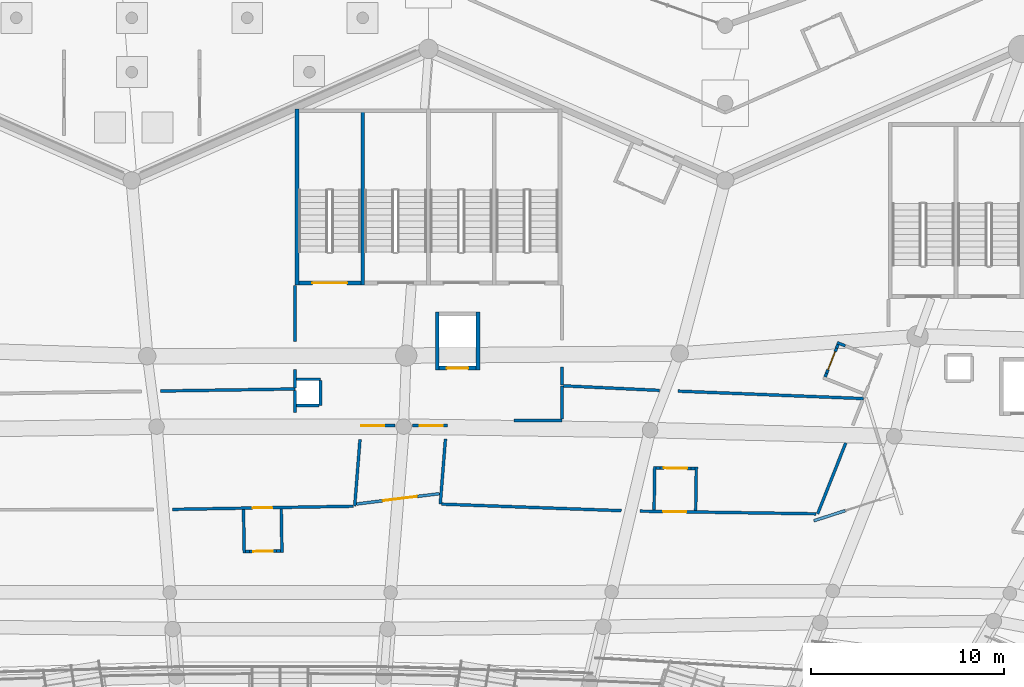
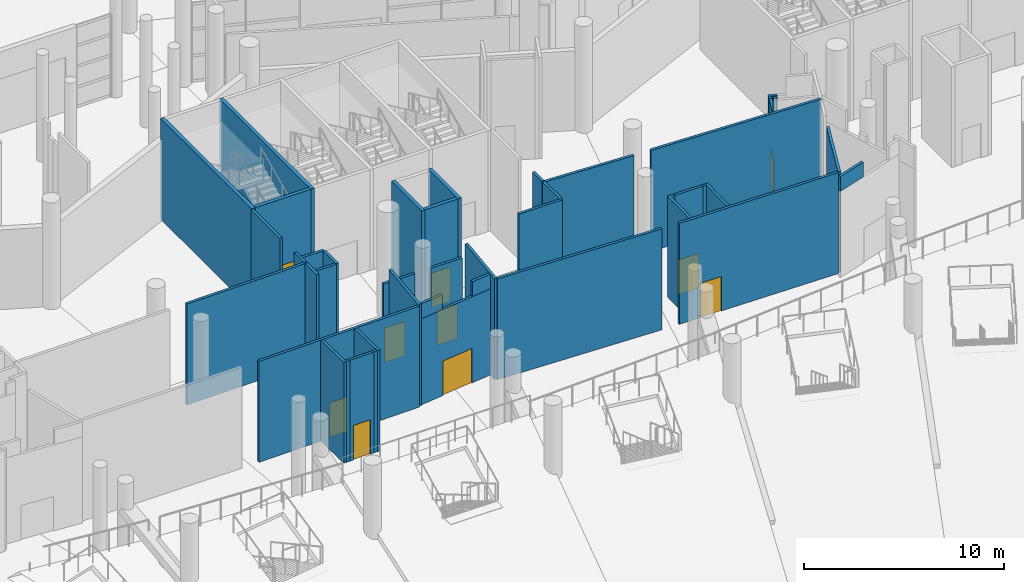
# One storey, part 150 of 255: 44 walls, 10 doors, 10 openings.
"""IFC4 building model written with IfcOpenShell, lengths in metres."""

from ifc_helpers import new_model, si_unit, direction, frame, frame_2d, origin, place, context, subcontext, project, spatial, rectangle, extrude, material, layer, layer_set, type_object, element, fill, save


model = new_model("IFC4")

# Units and contexts
model_context = context("Model", 3, precision=1e-05, world=origin(), true_north=direction((0.0, 1.0)))
body_context = subcontext(model_context, "Body", "Model", "MODEL_VIEW")
ifc_project = project(units=[si_unit("LENGTHUNIT", "METRE"), si_unit("AREAUNIT", "SQUARE_METRE"), si_unit("VOLUMEUNIT", "CUBIC_METRE"), si_unit("PLANEANGLEUNIT", "RADIAN"), si_unit("MASSUNIT", "GRAM", prefix="KILO")], contexts=[model_context])

# Site, building, storey
site_placement = place(None, origin())
site = spatial("IfcSite", under=ifc_project, at=site_placement, CompositionType="ELEMENT")
building_placement = place(site_placement, origin())
building = spatial("IfcBuilding", under=site, at=building_placement, Name="Meseta Stadium", CompositionType="ELEMENT")
storey_placement = place(building_placement, origin())
storey = spatial("IfcBuildingStorey", under=building, at=storey_placement, Name="L00", CompositionType="ELEMENT", Elevation=0.0)

# Walls
ifc_material_1 = material(Name="Concrete C40/50", Category="concrete")
ifc_layer_1 = layer(ifc_material_1, 0.199951171875)
ifc_layer_set_1 = layer_set([ifc_layer_1], Name="Core divider wall 200")
wall_type_1 = type_object("IfcWallType", Name="Core divider wall 200", PredefinedType="SHEAR", material=ifc_layer_set_1)
wall_1_placement = place(storey_placement, frame((4.2666015625, 102.300048828125, 0.0), z_axis=(0.0, 0.0, 1.0), x_axis=(0.0, -1.0, 0.0)))
element("IfcWall", 1, at=wall_1_placement, inside=storey, type_object=wall_type_1, Name="Core 10 L00 stair B divider wall", PredefinedType="SHEAR", context=body_context, shape_type="SweptSolid", body=[
    extrude(rectangle(XDim=9.10009765625, YDim=0.199951171875, at=frame_2d((4.550048828125, 0.0))), origin(), (0.0, 0.0, 1.0), 6.14990234375),
])
ifc_material_2 = material(Name="Concrete C40/50", Category="concrete")
ifc_layer_2 = layer(ifc_material_2, 0.199951171875)
ifc_layer_set_2 = layer_set([ifc_layer_2], Name="Core shaft wall 200")
wall_type_2 = type_object("IfcWallType", Name="Core shaft wall 200", PredefinedType="SHEAR", material=ifc_layer_set_2)
wall_2_placement = place(storey_placement, frame((0.86669921875, 102.300048828125, 0.0), z_axis=(0.0, 0.0, 1.0), x_axis=(0.0, -1.0, 0.0)))
element("IfcWall", 2, at=wall_2_placement, inside=storey, type_object=wall_type_2, Name="Core 10 L00 stair wall B-side", PredefinedType="SHEAR", context=body_context, shape_type="SweptSolid", body=[
    extrude(rectangle(XDim=9.10009765625, YDim=0.199951171875, at=frame_2d((4.550048828125, 0.0))), origin(), (0.0, 0.0, 1.0), 6.14990234375),
])

# Wall, opening, door
wall_3_placement = place(storey_placement, frame((4.166748046875, 93.300048828125, 0.0), z_axis=(0.0, 0.0, 1.0), x_axis=(-1.0, 0.0, 0.0)))
wall_3 = element("IfcWall", 3, at=wall_3_placement, inside=storey, type_object=wall_type_2, Name="Core 10 L00 stair B2 inner end wall", PredefinedType="SHEAR", context=body_context, shape_type="SweptSolid", body=[
    extrude(rectangle(XDim=3.199951171875, YDim=0.199951171875, at=frame_2d((1.60009765625, 0.0))), origin(), (0.0, 0.0, 1.0), 6.14990234375),
])
opening_1_placement = place(wall_3_placement, frame((0.699951171875, 0.0, 0.0)))
opening_1 = element("IfcOpeningElement", 4, at=opening_1_placement, cuts=wall_3, Name="Opening D146", PredefinedType="OPENING", context=body_context, shape_type="SweptSolid", body=[
    extrude(rectangle(XDim=1.800048828125, YDim=2.10009765625, at=frame_2d((0.89990234375, 1.050048828125))), frame((0.0, 0.10986328125, 0.0), z_axis=(0.0, -1.0, 0.0), x_axis=(1.0, 0.0, 0.0)), (0.0, 0.0, 1.0), 0.219970703125),
])
ifc_material_3 = material(Name="Steel", Category="steel")
door_type_1 = type_object("IfcDoorType", Name="Stair door 1800x2100", OperationType="DOUBLE_DOOR_SINGLE_SWING", PredefinedType="DOOR", material=ifc_material_3)
door_1_placement = place(opening_1_placement, origin())
door_1 = element("IfcDoor", 5, at=door_1_placement, inside=storey, type_object=door_type_1, Name="Stair B2 door 10 L00", OperationType="DOUBLE_DOOR_SINGLE_SWING", OverallHeight=2.10009765625, OverallWidth=1.800048828125, PredefinedType="DOOR", context=body_context, shape_type="SweptSolid", body=[
    extrude(rectangle(XDim=1.800048828125, YDim=2.10009765625, at=frame_2d((0.89990234375, 1.050048828125))), frame((0.0, 0.02490234375, 0.0), z_axis=(0.0, -1.0, 0.0), x_axis=(1.0, 0.0, 0.0)), (0.0, 0.0, 1.0), 0.050048828125),
])
fill(opening_1, door_1)

# Walls
for number, where, z_axis, x_axis, name in (
    (6, (10.216796875, 91.800048828125, 0.0), (0.0, 0.0, 1.0), (0.0, -1.0, 0.0), "Core 10 L00 lift shaft wall left"),
    (7, (8.11669921875, 91.800048828125, 0.0), (0.0, 0.0, 1.0), (0.0, -1.0, 0.0), "Core 10 L00 lift shaft wall right"),
):
    element("IfcWall", number, at=place(storey_placement, frame(where, z_axis=z_axis, x_axis=x_axis)), inside=storey, type_object=wall_type_2, Name=name, PredefinedType="SHEAR", context=body_context, shape_type="SweptSolid", body=[
        extrude(rectangle(XDim=3.0, YDim=0.199951171875, at=frame_2d((1.5, 0.0))), origin(), (0.0, 0.0, 1.0), 6.14990234375),
    ])

# Wall, opening, door
wall_4_placement = place(storey_placement, frame((10.11669921875, 88.89990234375, 0.0), z_axis=(0.0, 0.0, 1.0), x_axis=(-1.0, 0.0, 0.0)))
wall_4 = element("IfcWall", 8, at=wall_4_placement, inside=storey, type_object=wall_type_2, Name="Core 10 L00 lift shaft front wall", PredefinedType="SHEAR", context=body_context, shape_type="SweptSolid", body=[
    extrude(rectangle(XDim=1.89990234375, YDim=0.199951171875, at=frame_2d((0.949951171875, 0.0))), origin(), (0.0, 0.0, 1.0), 6.14990234375),
])
opening_2_placement = place(wall_4_placement, frame((0.39990234375, 0.0, 0.0)))
opening_2 = element("IfcOpeningElement", 9, at=opening_2_placement, cuts=wall_4, Name="Opening LD52", PredefinedType="OPENING", context=body_context, shape_type="SweptSolid", body=[
    extrude(rectangle(XDim=1.10009765625, YDim=2.10009765625, at=frame_2d((0.550048828125, 1.050048828125))), frame((0.0, 0.10986328125, 0.0), z_axis=(0.0, -1.0, 0.0), x_axis=(1.0, 0.0, 0.0)), (0.0, 0.0, 1.0), 0.219970703125),
])
ifc_material_4 = material(Name="Steel", Category="steel")
door_type_2 = type_object("IfcDoorType", Name="Lift landing door 1100x2100", OperationType="SLIDING_TO_LEFT", PredefinedType="DOOR", material=ifc_material_4)
door_2_placement = place(opening_2_placement, origin())
door_2 = element("IfcDoor", 10, at=door_2_placement, inside=storey, type_object=door_type_2, Name="Lift landing door LD52", OperationType="SLIDING_TO_RIGHT", OverallHeight=2.10009765625, OverallWidth=1.10009765625, PredefinedType="DOOR", context=body_context, shape_type="SweptSolid", body=[
    extrude(rectangle(XDim=1.10009765625, YDim=2.10009765625, at=frame_2d((0.550048828125, 1.050048828125))), frame((0.0, 0.02490234375, 0.0), z_axis=(0.0, -1.0, 0.0), x_axis=(1.0, 0.0, 0.0)), (0.0, 0.0, 1.0), 0.050048828125),
])
fill(opening_2, door_2)

# Walls
ifc_material_5 = material(Name="Masonry blockwork", Category="masonry")
ifc_layer_3 = layer(ifc_material_5, 0.14990234375)
ifc_layer_set_3 = layer_set([ifc_layer_3], Name="Partition 150")
wall_type_3 = type_object("IfcWallType", Name="Partition 150", PredefinedType="PARTITIONING", material=ifc_layer_set_3)
wall_5_placement = place(storey_placement, frame((8.276123046875, 81.873291015625, 0.0), z_axis=(0.0, 0.0, 1.0), x_axis=(0.079118582515, 0.996865211501, 0.0)))
element("IfcWall", 11, at=wall_5_placement, inside=storey, type_object=wall_type_3, Name="Partition L00 L00-cell08-1-0", PredefinedType="PARTITIONING", context=body_context, shape_type="SweptSolid", body=[
    extrude(rectangle(XDim=3.375732421875, YDim=0.14990234375, at=frame_2d((1.68798828125, 0.0))), origin(), (0.0, 0.0, 1.0), 6.14990234375),
])
wall_6_placement = place(storey_placement, frame((12.088623046875, 86.199951171875, 0.0), z_axis=(0.0, 0.0, 1.0), x_axis=(1.0, 0.0, 0.0)))
element("IfcWall", 12, at=wall_6_placement, inside=storey, type_object=wall_type_3, Name="Partition L00 L00-cell08-1-0", PredefinedType="PARTITIONING", context=body_context, shape_type="SweptSolid", body=[
    extrude(rectangle(XDim=2.47802734375, YDim=0.14990234375, at=frame_2d((1.239013671875, 0.0))), origin(), (0.0, 0.0, 1.0), 6.14990234375),
])
wall_7_placement = place(storey_placement, frame((14.566650390625, 86.27490234375, 0.0), z_axis=(0.0, 0.0, 1.0), x_axis=(0.0, 1.0, 0.0)))
element("IfcWall", 13, at=wall_7_placement, inside=storey, type_object=wall_type_3, Name="Partition L00 L00-cell08-1-0", PredefinedType="PARTITIONING", context=body_context, shape_type="SweptSolid", body=[
    extrude(rectangle(XDim=1.713623046875, YDim=0.14990234375, at=frame_2d((0.85693359375, 0.0))), origin(), (0.0, 0.0, 1.0), 6.14990234375),
])
wall_8_placement = place(storey_placement, frame((14.6416015625, 87.985107421875, 0.0), z_axis=(0.0, 0.0, 1.0), x_axis=(0.998880990071, -0.047294478265, 0.0)))
element("IfcWall", 14, at=wall_8_placement, inside=storey, type_object=wall_type_3, Name="Partition L00 L00-cell08-1-0", PredefinedType="PARTITIONING", context=body_context, shape_type="SweptSolid", body=[
    extrude(rectangle(XDim=4.97119140625, YDim=0.14990234375, at=frame_2d((2.485595703125, 0.0))), origin(), (0.0, 0.0, 1.0), 6.14990234375),
])
wall_9_placement = place(storey_placement, frame((20.56494140625, 87.71142578125, 0.0), z_axis=(0.0, 0.0, 1.0), x_axis=(0.999191082899, -0.040214174799, 0.0)))
element("IfcWall", 15, at=wall_9_placement, inside=storey, type_object=wall_type_3, Name="Partition L00 L00-cell08-1-0", PredefinedType="PARTITIONING", context=body_context, shape_type="SweptSolid", body=[
    extrude(rectangle(XDim=9.586181640625, YDim=0.14990234375, at=frame_2d((4.79296875, 0.0))), origin(), (0.0, 0.0, 1.0), 6.14990234375),
])
wall_10_placement = place(storey_placement, frame((29.234130859375, 85.03466796875, 0.0), z_axis=(0.0, 0.0, 1.0), x_axis=(-0.368859950934, -0.9294849846, 0.0)))
element("IfcWall", 16, at=wall_10_placement, inside=storey, type_object=wall_type_3, Name="Partition L00 L00-cell08-1-0", PredefinedType="PARTITIONING", context=body_context, shape_type="SweptSolid", body=[
    extrude(rectangle(XDim=3.944091796875, YDim=0.14990234375, at=frame_2d((1.97216796875, 0.0))), origin(), (0.0, 0.0, 1.0), 6.14990234375),
])

# Wall, opening, door
wall_11_placement = place(storey_placement, frame((27.69921875, 81.369873046875, 0.0), z_axis=(0.0, 0.0, 1.0), x_axis=(-0.999884976641, 0.015166854913, 0.0)))
wall_11 = element("IfcWall", 17, at=wall_11_placement, inside=storey, type_object=wall_type_3, Name="Partition L00 L00-cell08-1-0", PredefinedType="PARTITIONING", context=body_context, shape_type="SweptSolid", body=[
    extrude(rectangle(XDim=9.0947265625, YDim=0.14990234375, at=frame_2d((4.54736328125, 0.0))), origin(), (0.0, 0.0, 1.0), 6.14990234375),
])
opening_3_placement = place(wall_11_placement, frame((6.699951171875, 0.0, 0.0)))
opening_3 = element("IfcOpeningElement", 18, at=opening_3_placement, cuts=wall_11, Name="Opening D558", PredefinedType="OPENING", context=body_context, shape_type="SweptSolid", body=[
    extrude(rectangle(XDim=1.199951171875, YDim=2.10009765625, at=frame_2d((0.60009765625, 1.050048828125))), frame((0.0, 0.0849609375, 0.0), z_axis=(0.0, -1.0, 0.0), x_axis=(1.0, 0.0, 0.0)), (0.0, 0.0, 1.0), 0.169921875),
])
ifc_material_6 = material(Name="Steel", Category="steel")
door_type_3 = type_object("IfcDoorType", Name="Fire door 1200x2100 EI2 60", OperationType="NOTDEFINED", PredefinedType="DOOR", material=ifc_material_6)
door_3_placement = place(opening_3_placement, origin())
door_3 = element("IfcDoor", 19, at=door_3_placement, inside=storey, type_object=door_type_3, Name="Door D558", OperationType="SINGLE_SWING_RIGHT", OverallHeight=2.10009765625, OverallWidth=1.199951171875, PredefinedType="DOOR", context=body_context, shape_type="SweptSolid", body=[
    extrude(rectangle(XDim=1.199951171875, YDim=2.10009765625, at=frame_2d((0.60009765625, 1.050048828125))), frame((0.0, 0.02490234375, 0.0), z_axis=(0.0, -1.0, 0.0), x_axis=(1.0, 0.0, 0.0)), (0.0, 0.0, 1.0), 0.050048828125),
])
fill(opening_3, door_3)

# Walls
wall_12_placement = place(storey_placement, frame((17.63037109375, 81.533203125, 0.0), z_axis=(0.0, 0.0, 1.0), x_axis=(-0.999339567389, 0.036337708373, 0.0)))
element("IfcWall", 20, at=wall_12_placement, inside=storey, type_object=wall_type_3, Name="Partition L00 L00-cell08-1-0", PredefinedType="PARTITIONING", context=body_context, shape_type="SweptSolid", body=[
    extrude(rectangle(XDim=9.28515625, YDim=0.14990234375, at=frame_2d((4.642578125, 0.0))), origin(), (0.0, 0.0, 1.0), 6.14990234375),
])
wall_13_placement = place(storey_placement, frame((14.566650390625, 88.03857421875, 0.0), z_axis=(0.0, 0.0, 1.0), x_axis=(0.0, 1.0, 0.0)))
element("IfcWall", 21, at=wall_13_placement, inside=storey, type_object=wall_type_3, Name="Partition L00 L00-cell08-2-0", PredefinedType="PARTITIONING", context=body_context, shape_type="SweptSolid", body=[
    extrude(rectangle(XDim=0.93115234375, YDim=0.14990234375, at=frame_2d((0.465576171875, 0.0))), origin(), (0.0, 0.0, 1.0), 6.14990234375),
])
wall_14_placement = place(storey_placement, frame((-6.178466796875, 87.71630859375, 0.0), z_axis=(0.0, 0.0, 1.0), x_axis=(0.999883104063, 0.01528980737, 0.0)))
element("IfcWall", 22, at=wall_14_placement, inside=storey, type_object=wall_type_3, Name="Partition L00 L00-cell09-1-0", PredefinedType="PARTITIONING", context=body_context, shape_type="SweptSolid", body=[
    extrude(rectangle(XDim=6.94580078125, YDim=0.14990234375, at=frame_2d((3.472900390625, 0.0))), origin(), (0.0, 0.0, 1.0), 6.14990234375),
])
wall_15_placement = place(storey_placement, frame((0.7666015625, 87.74755859375, 0.0), z_axis=(0.0, 0.0, 1.0), x_axis=(0.0, -1.0, 0.0)))
element("IfcWall", 23, at=wall_15_placement, inside=storey, type_object=wall_type_3, Name="Partition L00 L00-cell09-1-0", PredefinedType="PARTITIONING", context=body_context, shape_type="SweptSolid", body=[
    extrude(rectangle(XDim=1.141845703125, YDim=0.14990234375, at=frame_2d((0.57080078125, 0.0))), origin(), (0.0, 0.0, 1.0), 6.14990234375),
])
wall_16_placement = place(storey_placement, frame((4.12744140625, 85.21435546875, 0.0), z_axis=(0.0, 0.0, 1.0), x_axis=(-0.079080692969, -0.99686821797, 0.0)))
element("IfcWall", 24, at=wall_16_placement, inside=storey, type_object=wall_type_3, Name="Partition L00 L00-cell09-1-0", PredefinedType="PARTITIONING", context=body_context, shape_type="SweptSolid", body=[
    extrude(rectangle(XDim=3.460693359375, YDim=0.14990234375, at=frame_2d((1.73046875, 0.0))), origin(), (0.0, 0.0, 1.0), 6.14990234375),
])

# Wall, opening, door
wall_17_placement = place(storey_placement, frame((3.7783203125, 81.762939453125, 0.0), z_axis=(0.0, 0.0, 1.0), x_axis=(-0.999845432781, -0.017581539953, 0.0)))
wall_17 = element("IfcWall", 25, at=wall_17_placement, inside=storey, type_object=wall_type_3, Name="Partition L00 L00-cell09-1-0", PredefinedType="PARTITIONING", context=body_context, shape_type="SweptSolid", body=[
    extrude(rectangle(XDim=9.33154296875, YDim=0.14990234375, at=frame_2d((4.665771484375, 0.0))), origin(), (0.0, 0.0, 1.0), 6.14990234375),
])
opening_4_placement = place(wall_17_placement, frame((4.199951171875, 0.0, 0.0)))
opening_4 = element("IfcOpeningElement", 26, at=opening_4_placement, cuts=wall_17, Name="Opening D560", PredefinedType="OPENING", context=body_context, shape_type="SweptSolid", body=[
    extrude(rectangle(XDim=1.0, YDim=2.10009765625, at=frame_2d((0.5, 1.050048828125))), frame((0.0, 0.0849609375, 0.0), z_axis=(0.0, -1.0, 0.0), x_axis=(1.0, 0.0, 0.0)), (0.0, 0.0, 1.0), 0.169921875),
])
ifc_material_7 = material(Name="Steel", Category="steel")
door_type_4 = type_object("IfcDoorType", Name="Fire door 1000x2100 EI2 60", OperationType="NOTDEFINED", PredefinedType="DOOR", material=ifc_material_7)
door_4_placement = place(opening_4_placement, origin())
door_4 = element("IfcDoor", 27, at=door_4_placement, inside=storey, type_object=door_type_4, Name="Door D560", OperationType="SINGLE_SWING_RIGHT", OverallHeight=2.10009765625, OverallWidth=1.0, PredefinedType="DOOR", context=body_context, shape_type="SweptSolid", body=[
    extrude(rectangle(XDim=1.0, YDim=2.10009765625, at=frame_2d((0.5, 1.050048828125))), frame((0.0, 0.02490234375, 0.0), z_axis=(0.0, -1.0, 0.0), x_axis=(1.0, 0.0, 0.0)), (0.0, 0.0, 1.0), 0.050048828125),
])
fill(opening_4, door_4)

# Walls
wall_18_placement = place(storey_placement, frame((0.7666015625, 93.159912109375, 0.0), z_axis=(0.0, 0.0, 1.0), x_axis=(0.0, -1.0, 0.0)))
element("IfcWall", 28, at=wall_18_placement, inside=storey, type_object=wall_type_3, Name="Partition L00 L00-cell09-2-0", PredefinedType="PARTITIONING", context=body_context, shape_type="SweptSolid", body=[
    extrude(rectangle(XDim=2.884033203125, YDim=0.14990234375, at=frame_2d((1.44189453125, 0.0))), origin(), (0.0, 0.0, 1.0), 6.14990234375),
])
wall_19_placement = place(storey_placement, frame((0.7666015625, 88.833984375, 0.0), z_axis=(0.0, 0.0, 1.0), x_axis=(0.0, -1.0, 0.0)))
element("IfcWall", 29, at=wall_19_placement, inside=storey, type_object=wall_type_3, Name="Partition L00 L00-cell09-2-0", PredefinedType="PARTITIONING", context=body_context, shape_type="SweptSolid", body=[
    extrude(rectangle(XDim=0.96142578125, YDim=0.14990234375, at=frame_2d((0.480712890625, 0.0))), origin(), (0.0, 0.0, 1.0), 6.14990234375),
])
wall_20_placement = place(storey_placement, frame((2.091796875, 88.324951171875, 0.0), z_axis=(0.0, 0.0, 1.0), x_axis=(-1.0, 0.0, 0.0)))
element("IfcWall", 30, at=wall_20_placement, inside=storey, type_object=wall_type_3, Name="Pressurisation shaft wall L00 core 10", PredefinedType="PARTITIONING", context=body_context, shape_type="SweptSolid", body=[
    extrude(rectangle(XDim=1.2490234375, YDim=0.14990234375, at=frame_2d((0.62451171875, 0.0))), origin(), (0.0, 0.0, 1.0), 6.14990234375),
])
wall_21_placement = place(storey_placement, frame((0.8427734375, 86.97509765625, 0.0), z_axis=(0.0, 0.0, 1.0), x_axis=(1.0, 0.0, 0.0)))
element("IfcWall", 31, at=wall_21_placement, inside=storey, type_object=wall_type_3, Name="Pressurisation shaft wall L00 core 10", PredefinedType="PARTITIONING", context=body_context, shape_type="SweptSolid", body=[
    extrude(rectangle(XDim=1.173828125, YDim=0.14990234375, at=frame_2d((0.5869140625, 0.0))), origin(), (0.0, 0.0, 1.0), 6.14990234375),
])
wall_22_placement = place(storey_placement, frame((2.091796875, 86.97509765625, 0.0), z_axis=(0.0, 0.0, 1.0), x_axis=(0.0, 1.0, 0.0)))
element("IfcWall", 32, at=wall_22_placement, inside=storey, type_object=wall_type_3, Name="Pressurisation shaft wall L00 core 10", PredefinedType="PARTITIONING", context=body_context, shape_type="SweptSolid", body=[
    extrude(rectangle(XDim=1.27490234375, YDim=0.14990234375, at=frame_2d((0.637451171875, 0.0))), origin(), (0.0, 0.0, 1.0), 6.14990234375),
])
wall_23_placement = place(storey_placement, frame((21.47607421875, 81.539306640625, 0.0), z_axis=(0.0, 0.0, 1.0), x_axis=(0.015190867683, 0.999884612112, 0.0)))
element("IfcWall", 33, at=wall_23_placement, inside=storey, type_object=wall_type_3, Name="Partition L00 L00-cell08-1-0 vestibule", PredefinedType="PARTITIONING", context=body_context, shape_type="SweptSolid", body=[
    extrude(rectangle(XDim=2.25, YDim=0.14990234375, at=frame_2d((1.125, 0.0))), origin(), (0.0, 0.0, 1.0), 6.14990234375),
])
wall_24_placement = place(storey_placement, frame((19.326416015625, 81.572021484375, 0.0), z_axis=(0.0, 0.0, 1.0), x_axis=(0.015084022783, 0.999886229656, 0.0)))
element("IfcWall", 34, at=wall_24_placement, inside=storey, type_object=wall_type_3, Name="Partition L00 L00-cell08-1-0 vestibule", PredefinedType="PARTITIONING", context=body_context, shape_type="SweptSolid", body=[
    extrude(rectangle(XDim=2.249755859375, YDim=0.14990234375, at=frame_2d((1.125, 0.0))), origin(), (0.0, 0.0, 1.0), 6.14990234375),
])
wall_25_placement = place(storey_placement, frame((21.43408203125, 83.715087890625, 0.0), z_axis=(0.0, 0.0, 1.0), x_axis=(-0.999874047484, 0.015871016627, 0.0)))
element("IfcWall", 35, at=wall_25_placement, inside=storey, type_object=wall_type_3, Name="Partition L00 L00-cell08-1-0 vestibule", PredefinedType="PARTITIONING", context=body_context, shape_type="SweptSolid", body=[
    extrude(rectangle(XDim=0.199951171875, YDim=0.14990234375, at=frame_2d((0.10009765625, 0.0))), origin(), (0.0, 0.0, 1.0), 6.14990234375),
])

# Wall, opening, door
wall_26_placement = place(storey_placement, frame((21.234130859375, 83.71826171875, 0.0), z_axis=(0.0, 0.0, 1.0), x_axis=(-0.999885899979, 0.015105860537, 0.0)))
wall_26 = element("IfcWall", 36, at=wall_26_placement, inside=storey, type_object=wall_type_3, Name="Partition L00 L00-cell08-1-0 vestibule", PredefinedType="PARTITIONING", context=body_context, shape_type="SweptSolid", body=[
    extrude(rectangle(XDim=1.60009765625, YDim=0.14990234375, at=frame_2d((0.800048828125, 0.0))), origin(), (0.0, 0.0, 1.0), 6.14990234375),
])
opening_5_placement = place(wall_26_placement, frame((0.199951171875, 0.0, 0.0)))
opening_5 = element("IfcOpeningElement", 37, at=opening_5_placement, cuts=wall_26, Name="Opening D834", PredefinedType="OPENING", context=body_context, shape_type="SweptSolid", body=[
    extrude(rectangle(XDim=1.199951171875, YDim=2.10009765625, at=frame_2d((0.60009765625, 1.050048828125))), frame((0.0, 0.0849609375, 0.0), z_axis=(0.0, -1.0, 0.0), x_axis=(1.0, 0.0, 0.0)), (0.0, 0.0, 1.0), 0.169921875),
])
door_5_placement = place(opening_5_placement, origin())
door_5 = element("IfcDoor", 38, at=door_5_placement, inside=storey, type_object=door_type_3, Name="Vestibule door L00 L00-cell08-1-0", OperationType="SINGLE_SWING_LEFT", OverallHeight=2.10009765625, OverallWidth=1.199951171875, PredefinedType="DOOR", context=body_context, shape_type="SweptSolid", body=[
    extrude(rectangle(XDim=1.199951171875, YDim=2.10009765625, at=frame_2d((0.60009765625, 1.050048828125))), frame((0.0, 0.02490234375, 0.0), z_axis=(0.0, -1.0, 0.0), x_axis=(1.0, 0.0, 0.0)), (0.0, 0.0, 1.0), 0.050048828125),
])
fill(opening_5, door_5)

# Walls
wall_27_placement = place(storey_placement, frame((19.63427734375, 83.742431640625, 0.0), z_axis=(0.0, 0.0, 1.0), x_axis=(-0.999874047484, 0.015871016627, 0.0)))
element("IfcWall", 39, at=wall_27_placement, inside=storey, type_object=wall_type_3, Name="Partition L00 L00-cell08-1-0 vestibule", PredefinedType="PARTITIONING", context=body_context, shape_type="SweptSolid", body=[
    extrude(rectangle(XDim=0.199951171875, YDim=0.14990234375, at=frame_2d((0.10009765625, 0.0))), origin(), (0.0, 0.0, 1.0), 6.14990234375),
])
wall_28_placement = place(storey_placement, frame((29.207275390625, 90.050537109375, 0.0), z_axis=(0.0, 0.0, 1.0), x_axis=(-0.929446414306, 0.368957128855, 0.0)))
element("IfcWall", 40, at=wall_28_placement, inside=storey, type_object=wall_type_3, Name="Partition L00 L00-cell08-2-0 vestibule", PredefinedType="PARTITIONING", context=body_context, shape_type="SweptSolid", body=[
    extrude(rectangle(XDim=0.449951171875, YDim=0.14990234375, at=frame_2d((0.22509765625, 0.0))), origin(), (0.0, 0.0, 1.0), 5.050048828125),
])
wall_29_placement = place(storey_placement, frame((28.8310546875, 90.119140625, 0.0), z_axis=(0.0, 0.0, 1.0), x_axis=(-0.368862269938, -0.929484064315, 0.0)))
element("IfcWall", 41, at=wall_29_placement, inside=storey, type_object=wall_type_3, Name="Partition L00 L00-cell08-2-0 vestibule", PredefinedType="PARTITIONING", context=body_context, shape_type="SweptSolid", body=[
    extrude(rectangle(XDim=0.199951171875, YDim=0.14990234375, at=frame_2d((0.10009765625, 0.0))), origin(), (0.0, 0.0, 1.0), 5.050048828125),
])

# Wall, opening, door
wall_30_placement = place(storey_placement, frame((28.75732421875, 89.933349609375, 0.0), z_axis=(0.0, 0.0, 1.0), x_axis=(-0.368833562796, -0.929495456124, 0.0)))
wall_30 = element("IfcWall", 42, at=wall_30_placement, inside=storey, type_object=wall_type_3, Name="Partition L00 L00-cell08-2-0 vestibule", PredefinedType="PARTITIONING", context=body_context, shape_type="SweptSolid", body=[
    extrude(rectangle(XDim=1.39990234375, YDim=0.14990234375, at=frame_2d((0.699951171875, 0.0))), origin(), (0.0, 0.0, 1.0), 5.050048828125),
])
opening_6_placement = place(wall_30_placement, frame((0.199951171875, 0.0, 0.0)))
opening_6 = element("IfcOpeningElement", 43, at=opening_6_placement, cuts=wall_30, Name="Opening D835", PredefinedType="OPENING", context=body_context, shape_type="SweptSolid", body=[
    extrude(rectangle(XDim=1.0, YDim=2.10009765625, at=frame_2d((0.5, 1.050048828125))), frame((0.0, 0.0849609375, 0.0), z_axis=(0.0, -1.0, 0.0), x_axis=(1.0, 0.0, 0.0)), (0.0, 0.0, 1.0), 0.169921875),
])
door_6_placement = place(opening_6_placement, origin())
door_6 = element("IfcDoor", 44, at=door_6_placement, inside=storey, type_object=door_type_4, Name="Vestibule door L00 L00-cell08-2-0", OperationType="SINGLE_SWING_RIGHT", OverallHeight=2.10009765625, OverallWidth=1.0, PredefinedType="DOOR", context=body_context, shape_type="SweptSolid", body=[
    extrude(rectangle(XDim=1.0, YDim=2.10009765625, at=frame_2d((0.5, 1.050048828125))), frame((0.0, 0.02490234375, 0.0), z_axis=(0.0, -1.0, 0.0), x_axis=(1.0, 0.0, 0.0)), (0.0, 0.0, 1.0), 0.050048828125),
])
fill(opening_6, door_6)

# Walls
wall_31_placement = place(storey_placement, frame((28.240966796875, 88.632080078125, 0.0), z_axis=(0.0, 0.0, 1.0), x_axis=(-0.368443949151, -0.929649964414, 0.0)))
element("IfcWall", 45, at=wall_31_placement, inside=storey, type_object=wall_type_3, Name="Partition L00 L00-cell08-2-0 vestibule", PredefinedType="PARTITIONING", context=body_context, shape_type="SweptSolid", body=[
    extrude(rectangle(XDim=0.2001953125, YDim=0.14990234375, at=frame_2d((0.10009765625, 0.0))), origin(), (0.0, 0.0, 1.0), 6.14990234375),
])
wall_32_placement = place(storey_placement, frame((0.055419921875, 81.622314453125, 0.0), z_axis=(0.0, 0.0, 1.0), x_axis=(0.017470743148, -0.99984737492, 0.0)))
element("IfcWall", 46, at=wall_32_placement, inside=storey, type_object=wall_type_3, Name="Partition L00 L00-cell09-1-0 vestibule", PredefinedType="PARTITIONING", context=body_context, shape_type="SweptSolid", body=[
    extrude(rectangle(XDim=2.249755859375, YDim=0.14990234375, at=frame_2d((1.125, 0.0))), origin(), (0.0, 0.0, 1.0), 6.14990234375),
])
wall_33_placement = place(storey_placement, frame((-1.894287109375, 81.588134765625, 0.0), z_axis=(0.0, 0.0, 1.0), x_axis=(0.017468847824, -0.999847408036, 0.0)))
element("IfcWall", 47, at=wall_33_placement, inside=storey, type_object=wall_type_3, Name="Partition L00 L00-cell09-1-0 vestibule", PredefinedType="PARTITIONING", context=body_context, shape_type="SweptSolid", body=[
    extrude(rectangle(XDim=2.25, YDim=0.14990234375, at=frame_2d((1.125, 0.0))), origin(), (0.0, 0.0, 1.0), 6.14990234375),
])
wall_34_placement = place(storey_placement, frame((0.0185546875, 79.446533203125, 0.0), z_axis=(0.0, 0.0, 1.0), x_axis=(-0.999832322235, -0.018311947294, 0.0)))
element("IfcWall", 48, at=wall_34_placement, inside=storey, type_object=wall_type_3, Name="Partition L00 L00-cell09-1-0 vestibule", PredefinedType="PARTITIONING", context=body_context, shape_type="SweptSolid", body=[
    extrude(rectangle(XDim=0.199951171875, YDim=0.14990234375, at=frame_2d((0.10009765625, 0.0))), origin(), (0.0, 0.0, 1.0), 6.14990234375),
])

# Wall, opening, door
wall_35_placement = place(storey_placement, frame((-0.181396484375, 79.44287109375, 0.0), z_axis=(0.0, 0.0, 1.0), x_axis=(-0.999844905524, -0.017611499033, 0.0)))
wall_35 = element("IfcWall", 49, at=wall_35_placement, inside=storey, type_object=wall_type_3, Name="Partition L00 L00-cell09-1-0 vestibule", PredefinedType="PARTITIONING", context=body_context, shape_type="SweptSolid", body=[
    extrude(rectangle(XDim=1.400146484375, YDim=0.14990234375, at=frame_2d((0.7001953125, 0.0))), origin(), (0.0, 0.0, 1.0), 6.14990234375),
])
opening_7_placement = place(wall_35_placement, frame((0.199951171875, 0.0, 0.0)))
opening_7 = element("IfcOpeningElement", 50, at=opening_7_placement, cuts=wall_35, Name="Opening D837", PredefinedType="OPENING", context=body_context, shape_type="SweptSolid", body=[
    extrude(rectangle(XDim=1.0, YDim=2.10009765625, at=frame_2d((0.5, 1.050048828125))), frame((0.0, 0.0849609375, 0.0), z_axis=(0.0, -1.0, 0.0), x_axis=(1.0, 0.0, 0.0)), (0.0, 0.0, 1.0), 0.169921875),
])
door_7_placement = place(opening_7_placement, origin())
door_7 = element("IfcDoor", 51, at=door_7_placement, inside=storey, type_object=door_type_4, Name="Vestibule door L00 L00-cell09-1-0", OperationType="SINGLE_SWING_LEFT", OverallHeight=2.10009765625, OverallWidth=1.0, PredefinedType="DOOR", context=body_context, shape_type="SweptSolid", body=[
    extrude(rectangle(XDim=1.0, YDim=2.10009765625, at=frame_2d((0.5, 1.050048828125))), frame((0.0, 0.02490234375, 0.0), z_axis=(0.0, -1.0, 0.0), x_axis=(1.0, 0.0, 0.0)), (0.0, 0.0, 1.0), 0.050048828125),
])
fill(opening_7, door_7)

# Walls
wall_36_placement = place(storey_placement, frame((-1.581298828125, 79.418212890625, 0.0), z_axis=(0.0, 0.0, 1.0), x_axis=(-0.999853929301, -0.017091520159, 0.0)))
element("IfcWall", 52, at=wall_36_placement, inside=storey, type_object=wall_type_3, Name="Partition L00 L00-cell09-1-0 vestibule", PredefinedType="PARTITIONING", context=body_context, shape_type="SweptSolid", body=[
    extrude(rectangle(XDim=0.199951171875, YDim=0.14990234375, at=frame_2d((0.10009765625, 0.0))), origin(), (0.0, 0.0, 1.0), 6.14990234375),
])
wall_37_placement = place(storey_placement, frame((29.199462890625, 81.532958984375, 5.25), z_axis=(0.0, 0.0, 1.0), x_axis=(-0.951404919652, -0.307942655153, 0.0)))
element("IfcWall", 53, at=wall_37_placement, inside=storey, type_object=wall_type_3, Name="Escape corridor discharge wall L00 core 09", PredefinedType="PARTITIONING", context=body_context, shape_type="SweptSolid", body=[
    extrude(rectangle(XDim=1.69970703125, YDim=0.14990234375, at=frame_2d((0.849853515625, 0.0))), origin(), (0.0, 0.0, 1.0), 0.89990234375),
])

# Wall, opening, door
wall_38_placement = place(storey_placement, frame((8.65771484375, 85.925048828125, 0.0), z_axis=(0.0, 0.0, 1.0), x_axis=(-1.0, 0.0, 0.0)))
wall_38 = element("IfcWall", 54, at=wall_38_placement, inside=storey, type_object=wall_type_3, Name="Escape corridor sector wall L00 core 10", PredefinedType="PARTITIONING", context=body_context, shape_type="SweptSolid", body=[
    extrude(rectangle(XDim=1.81982421875, YDim=0.14990234375, at=frame_2d((0.909912109375, 0.0))), origin(), (0.0, 0.0, 1.0), 4.85009765625),
])
opening_8_placement = place(wall_38_placement, frame((0.25, 0.0, 0.0)))
opening_8 = element("IfcOpeningElement", 55, at=opening_8_placement, cuts=wall_38, Name="Opening D414", PredefinedType="OPENING", context=body_context, shape_type="SweptSolid", body=[
    extrude(rectangle(XDim=1.199951171875, YDim=2.10009765625, at=frame_2d((0.60009765625, 1.050048828125))), frame((0.0, 0.0849609375, 0.0), z_axis=(0.0, -1.0, 0.0), x_axis=(1.0, 0.0, 0.0)), (0.0, 0.0, 1.0), 0.169921875),
])
door_8_placement = place(opening_8_placement, origin())
door_8 = element("IfcDoor", 56, at=door_8_placement, inside=storey, type_object=door_type_3, Name="Escape corridor door EC10-1", OperationType="SINGLE_SWING_LEFT", OverallHeight=2.10009765625, OverallWidth=1.199951171875, PredefinedType="DOOR", context=body_context, shape_type="SweptSolid", body=[
    extrude(rectangle(XDim=1.199951171875, YDim=2.10009765625, at=frame_2d((0.60009765625, 1.050048828125))), frame((0.0, 0.02490234375, 0.0), z_axis=(0.0, -1.0, 0.0), x_axis=(1.0, 0.0, 0.0)), (0.0, 0.0, 1.0), 0.050048828125),
])
fill(opening_8, door_8)

wall_39_placement = place(storey_placement, frame((5.93603515625, 85.925048828125, 0.0), z_axis=(0.0, 0.0, 1.0), x_axis=(-1.0, 0.0, 0.0)))
wall_39 = element("IfcWall", 57, at=wall_39_placement, inside=storey, type_object=wall_type_3, Name="Escape corridor sector wall L00 core 10", PredefinedType="PARTITIONING", context=body_context, shape_type="SweptSolid", body=[
    extrude(rectangle(XDim=1.812255859375, YDim=0.14990234375, at=frame_2d((0.90625, 0.0))), origin(), (0.0, 0.0, 1.0), 4.85009765625),
])
opening_9_placement = place(wall_39_placement, frame((0.550048828125, 0.0, 0.0)))
opening_9 = element("IfcOpeningElement", 58, at=opening_9_placement, cuts=wall_39, Name="Opening D1682", PredefinedType="OPENING", context=body_context, shape_type="SweptSolid", body=[
    extrude(rectangle(XDim=1.199951171875, YDim=2.10009765625, at=frame_2d((0.60009765625, 1.050048828125))), frame((0.0, 0.0849609375, 0.0), z_axis=(0.0, -1.0, 0.0), x_axis=(1.0, 0.0, 0.0)), (0.0, 0.0, 1.0), 0.169921875),
])
door_9_placement = place(opening_9_placement, origin())
door_9 = element("IfcDoor", 59, at=door_9_placement, inside=storey, type_object=door_type_3, Name="Escape corridor door EC10-2", OperationType="SINGLE_SWING_RIGHT", OverallHeight=2.10009765625, OverallWidth=1.199951171875, PredefinedType="DOOR", context=body_context, shape_type="SweptSolid", body=[
    extrude(rectangle(XDim=1.199951171875, YDim=2.10009765625, at=frame_2d((0.60009765625, 1.050048828125))), frame((0.0, 0.02490234375, 0.0), z_axis=(0.0, -1.0, 0.0), x_axis=(1.0, 0.0, 0.0)), (0.0, 0.0, 1.0), 0.050048828125),
])
fill(opening_9, door_9)

wall_40_placement = place(storey_placement, frame((8.227294921875, 82.40966796875, 0.0), z_axis=(0.0, 0.0, 1.0), x_axis=(-0.992346630795, -0.1234834578, 0.0)))
wall_40 = element("IfcWall", 60, at=wall_40_placement, inside=storey, type_object=wall_type_3, Name="Escape corridor discharge wall L00 core 10", PredefinedType="PARTITIONING", context=body_context, shape_type="SweptSolid", body=[
    extrude(rectangle(XDim=4.30615234375, YDim=0.14990234375, at=frame_2d((2.153076171875, 0.0))), origin(), (0.0, 0.0, 1.0), 5.25),
])
opening_10_placement = place(wall_40_placement, frame((1.15625, 0.0, 0.0)))
opening_10 = element("IfcOpeningElement", 61, at=opening_10_placement, cuts=wall_40, Name="Opening D386", PredefinedType="OPENING", context=body_context, shape_type="SweptSolid", body=[
    extrude(rectangle(XDim=1.800048828125, YDim=2.10009765625, at=frame_2d((0.89990234375, 1.050048828125))), frame((0.0, 0.0849609375, 0.0), z_axis=(0.0, -1.0, 0.0), x_axis=(1.0, 0.0, 0.0)), (0.0, 0.0, 1.0), 0.169921875),
])
ifc_material_8 = material(Name="Steel", Category="steel")
door_type_5 = type_object("IfcDoorType", Name="Fire double door 1800x2100 EI2 60", OperationType="DOUBLE_DOOR_SINGLE_SWING", PredefinedType="DOOR", material=ifc_material_8)
door_10_placement = place(opening_10_placement, origin())
door_10 = element("IfcDoor", 62, at=door_10_placement, inside=storey, type_object=door_type_5, Name="Stair discharge door SD10-1", OperationType="DOUBLE_DOOR_SINGLE_SWING", OverallHeight=2.10009765625, OverallWidth=1.800048828125, PredefinedType="DOOR", context=body_context, shape_type="SweptSolid", body=[
    extrude(rectangle(XDim=1.800048828125, YDim=2.10009765625, at=frame_2d((0.89990234375, 1.050048828125))), frame((0.0, 0.02490234375, 0.0), z_axis=(0.0, -1.0, 0.0), x_axis=(1.0, 0.0, 0.0)), (0.0, 0.0, 1.0), 0.050048828125),
])
fill(opening_10, door_10)

# Walls
wall_41_placement = place(storey_placement, frame((5.244140625, 82.03857421875, 5.25), z_axis=(0.0, 0.0, 1.0), x_axis=(-0.992335553668, -0.123572444041, 0.0)))
element("IfcWall", 63, at=wall_41_placement, inside=storey, type_object=wall_type_3, Name="Escape corridor discharge wall L00 core 10", PredefinedType="PARTITIONING", context=body_context, shape_type="SweptSolid", body=[
    extrude(rectangle(XDim=1.300048828125, YDim=0.14990234375, at=frame_2d((0.64990234375, 0.0))), origin(), (0.0, 0.0, 1.0), 0.89990234375),
])
wall_42_placement = place(storey_placement, frame((8.227294921875, 82.40966796875, 5.25), z_axis=(0.0, 0.0, 1.0), x_axis=(-0.992359159307, -0.123382733553, 0.0)))
element("IfcWall", 64, at=wall_42_placement, inside=storey, type_object=wall_type_3, Name="Escape corridor discharge wall L00 core 10", PredefinedType="PARTITIONING", context=body_context, shape_type="SweptSolid", body=[
    extrude(rectangle(XDim=1.106201171875, YDim=0.14990234375, at=frame_2d((0.55322265625, 0.0))), origin(), (0.0, 0.0, 1.0), 0.89990234375),
])

save(model, "model.ifc")
